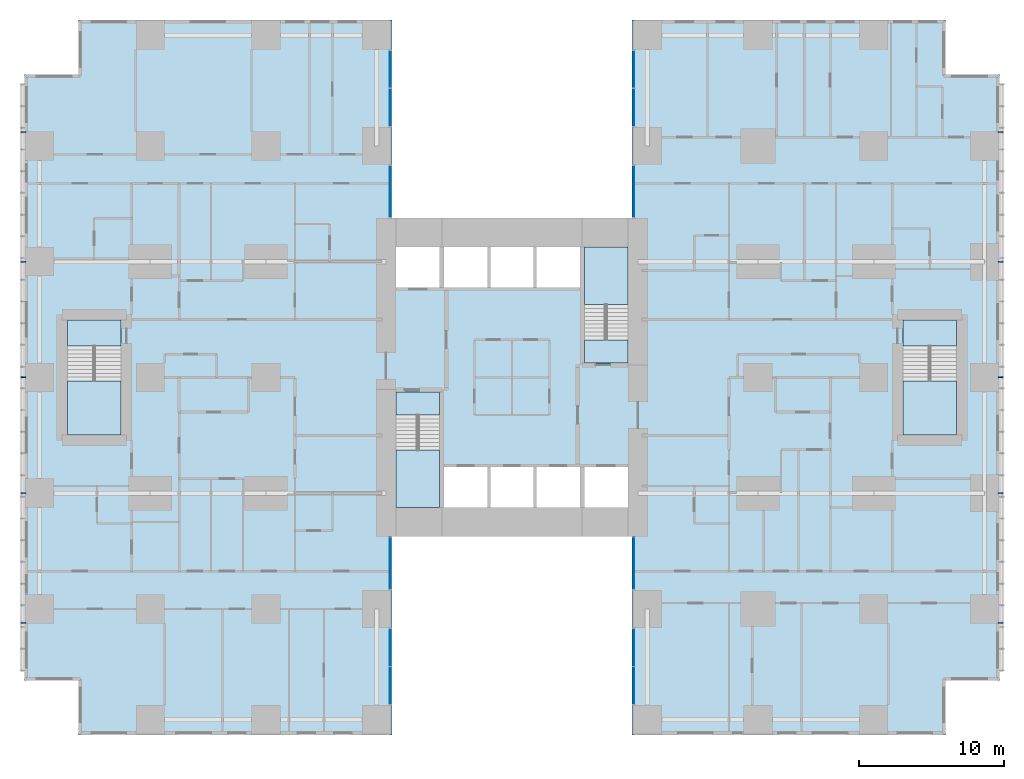
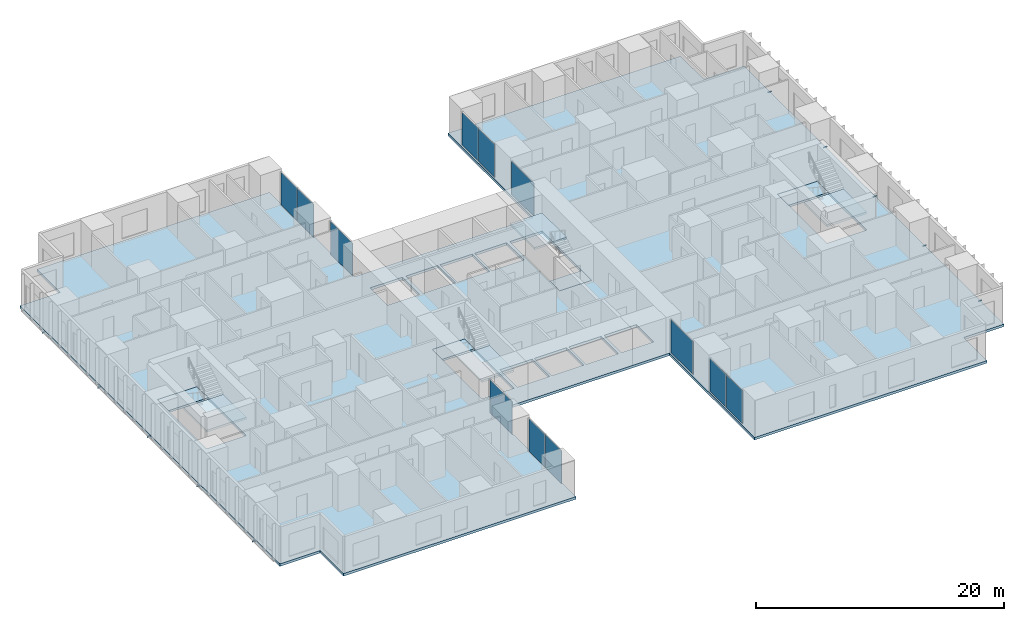
# One storey, part 7 of 20: 12 plates, 10 members, 9 slabs, 12 elements without a shape of their own.
"""IFC4 building model written with IfcOpenShell, lengths in metres."""

from ifc_helpers import new_model, si_unit, direction, frame, origin, origin_2d, place, context, subcontext, project, spatial, polyline, rectangle, hollow_rectangle, outline, extrude, material, layer, layer_set, material_profile, profile_set, type_object, element, aggregate, save


model = new_model("IFC4")

# Units and contexts
model_context = context("Model", 3, precision=1e-05, world=origin(), true_north=direction((0.0, 1.0)))
body_context = subcontext(model_context, "Body", "Model", "MODEL_VIEW")
ifc_project = project(units=[si_unit("LENGTHUNIT", "METRE"), si_unit("AREAUNIT", "SQUARE_METRE"), si_unit("VOLUMEUNIT", "CUBIC_METRE"), si_unit("PLANEANGLEUNIT", "RADIAN"), si_unit("MASSUNIT", "GRAM", prefix="KILO")], contexts=[model_context])

# Site, building, storey
site_placement = place(None, origin())
site = spatial("IfcSite", under=ifc_project, at=site_placement, CompositionType="ELEMENT")
building_placement = place(site_placement, origin())
building = spatial("IfcBuilding", under=site, at=building_placement, Name="Cleftline Residences", CompositionType="ELEMENT")
storey_placement = place(building_placement, frame((0.0, 0.0, 139.39990234375)))
storey = spatial("IfcBuildingStorey", under=building, at=storey_placement, Name="L36", CompositionType="ELEMENT", Elevation=139.39990234375)

# Members
ifc_material_1 = material(Name="Steel S355, hot-dip galvanised", Category="steel")
ifc_material_profile = material_profile(ifc_material_1, hollow_rectangle(XDim=0.10009765625, YDim=0.10009765625, WallThickness=0.008056640625, InnerFilletRadius=0.008056640625, OuterFilletRadius=0.011962890625, at=origin_2d()))
ifc_profile_set = profile_set([ifc_material_profile], Name="Steel S355, hot-dip galvanised")
member_type = type_object("IfcMemberType", Name="BAGUETTE BRACKET SHS 100X100X8", PredefinedType="USERDEFINED", material=ifc_profile_set)
for number, where, z_axis, x_axis, name in (
    (1, (66.60009765625, 7.050048828125, -0.14990234375), (1.0, 0.0, 0.0), (0.0, 1.0, 0.0), "Baguette bracket"),
    (2, (66.60009765625, 16.0, -0.14990234375), (1.0, 0.0, 0.0), (0.0, 1.0, 0.0), "Baguette bracket"),
    (3, (66.60009765625, 24.0, -0.14990234375), (1.0, 0.0, 0.0), (0.0, 1.0, 0.0), "Baguette bracket"),
    (4, (66.60009765625, 32.0, -0.14990234375), (1.0, 0.0, 0.0), (0.0, 1.0, 0.0), "Baguette bracket"),
    (5, (66.60009765625, 40.949951171875, -0.14990234375), (1.0, 0.0, 0.0), (0.0, 1.0, 0.0), "Baguette bracket"),
    (6, (-0.60009765625, 40.949951171875, -0.14990234375), (-1.0, 0.0, 0.0), (0.0, -1.0, 0.0), "Baguette bracket"),
    (7, (-0.60009765625, 32.0, -0.14990234375), (-1.0, 0.0, 0.0), (0.0, -1.0, 0.0), "Baguette bracket"),
    (8, (-0.60009765625, 24.0, -0.14990234375), (-1.0, 0.0, 0.0), (0.0, -1.0, 0.0), "Baguette bracket"),
    (9, (-0.60009765625, 16.0, -0.14990234375), (-1.0, 0.0, 0.0), (0.0, -1.0, 0.0), "Baguette bracket"),
    (10, (-0.60009765625, 7.050048828125, -0.14990234375), (-1.0, 0.0, 0.0), (0.0, -1.0, 0.0), "Baguette bracket"),
):
    element("IfcMember", number, at=place(storey_placement, frame(where, z_axis=z_axis, x_axis=x_axis)), inside=storey, type_object=member_type, Name=name, ObjectType="BAGUETTE BRACKET", PredefinedType="USERDEFINED", context=body_context, shape_type="SweptSolid", body=[
        extrude(hollow_rectangle(XDim=0.10009765625, YDim=0.10009765625, WallThickness=0.008056640625, InnerFilletRadius=0.008056640625, OuterFilletRadius=0.011962890625, at=origin_2d()), origin(), (0.0, 0.0, 1.0), 0.349853515625),
    ])

# Curtain wall, plates
ifc_material_2 = material(Name="Aluminium framed curtain wall", Category="aluminium")
ifc_layer_1 = layer(ifc_material_2, 0.199951171875)
ifc_layer_set_1 = layer_set([ifc_layer_1], Name="CW1 CLEFT GLAZING")
curtain_wall_type = type_object("IfcCurtainWallType", Name="CW1 CLEFT GLAZING", PredefinedType="NOTDEFINED", material=ifc_layer_set_1)
curtain_wall_1_placement = place(storey_placement, origin())
curtain_wall_1 = element("IfcCurtainWall", 11, at=curtain_wall_1_placement, inside=storey, type_object=curtain_wall_type, Name="Curtain wall CW1", PredefinedType="NOTDEFINED")
ifc_material_3 = material(Name="Laminated clear glass", Category="glass")
ifc_layer_2 = layer(ifc_material_3, 0.028076171875)
ifc_layer_set_2 = layer_set([ifc_layer_2], Name="CW1 GLASS PANEL")
plate_type = type_object("IfcPlateType", Name="CW1 GLASS PANEL", PredefinedType="CURTAIN_PANEL", material=ifc_layer_set_2)
plate_1_placement = place(storey_placement, frame((24.574951171875, 2.702392578125, 0.06005859375), z_axis=(0.0, 0.0, 1.0), x_axis=(0.0, 1.0, 0.0)))
plate_1 = element("IfcPlate", 12, at=plate_1_placement, type_object=plate_type, Name="CW1 panel 1.1", PredefinedType="CURTAIN_PANEL", context=body_context, shape_type="SweptSolid", body=[
    extrude(rectangle(XDim=2.5849609375, YDim=0.028076171875, at=origin_2d()), origin(), (0.0, 0.0, 1.0), 3.22998046875),
])
plate_2_placement = place(storey_placement, frame((24.574951171875, 5.347412109375, 0.06005859375), z_axis=(0.0, 0.0, 1.0), x_axis=(0.0, 1.0, 0.0)))
plate_2 = element("IfcPlate", 13, at=plate_2_placement, type_object=plate_type, Name="CW1 panel 2.1", PredefinedType="CURTAIN_PANEL", context=body_context, shape_type="SweptSolid", body=[
    extrude(rectangle(XDim=2.5849609375, YDim=0.028076171875, at=origin_2d()), origin(), (0.0, 0.0, 1.0), 3.22998046875),
])
aggregate(curtain_wall_1, [plate_1, plate_2])

# Curtain wall, plate
curtain_wall_2_placement = place(storey_placement, origin())
curtain_wall_2 = element("IfcCurtainWall", 14, at=curtain_wall_2_placement, inside=storey, type_object=curtain_wall_type, Name="Curtain wall CW1", PredefinedType="NOTDEFINED")
plate_3_placement = place(storey_placement, frame((24.574951171875, 11.14990234375, 0.06005859375), z_axis=(0.0, 0.0, 1.0), x_axis=(0.0, 1.0, 0.0)))
plate_3 = element("IfcPlate", 15, at=plate_3_placement, type_object=plate_type, Name="CW1 panel 1.1", PredefinedType="CURTAIN_PANEL", context=body_context, shape_type="SweptSolid", body=[
    extrude(rectangle(XDim=3.580078125, YDim=0.028076171875, at=origin_2d()), origin(), (0.0, 0.0, 1.0), 3.22998046875),
])
aggregate(curtain_wall_2, [plate_3])

curtain_wall_3_placement = place(storey_placement, origin())
curtain_wall_3 = element("IfcCurtainWall", 16, at=curtain_wall_3_placement, inside=storey, type_object=curtain_wall_type, Name="Curtain wall CW1", PredefinedType="NOTDEFINED")
plate_4_placement = place(storey_placement, frame((41.425048828125, 11.14990234375, 0.06005859375), z_axis=(0.0, 0.0, 1.0), x_axis=(0.0, -1.0, 0.0)))
plate_4 = element("IfcPlate", 17, at=plate_4_placement, type_object=plate_type, Name="CW1 panel 1.1", PredefinedType="CURTAIN_PANEL", context=body_context, shape_type="SweptSolid", body=[
    extrude(rectangle(XDim=3.580078125, YDim=0.028076171875, at=origin_2d()), origin(), (0.0, 0.0, 1.0), 3.22998046875),
])
aggregate(curtain_wall_3, [plate_4])

# Curtain wall, plates
curtain_wall_4_placement = place(storey_placement, origin())
curtain_wall_4 = element("IfcCurtainWall", 18, at=curtain_wall_4_placement, inside=storey, type_object=curtain_wall_type, Name="Curtain wall CW1", PredefinedType="NOTDEFINED")
plate_5_placement = place(storey_placement, frame((41.425048828125, 5.347412109375, 0.06005859375), z_axis=(0.0, 0.0, 1.0), x_axis=(0.0, -1.0, 0.0)))
plate_5 = element("IfcPlate", 19, at=plate_5_placement, type_object=plate_type, Name="CW1 panel 1.1", PredefinedType="CURTAIN_PANEL", context=body_context, shape_type="SweptSolid", body=[
    extrude(rectangle(XDim=2.5849609375, YDim=0.028076171875, at=origin_2d()), origin(), (0.0, 0.0, 1.0), 3.22998046875),
])
plate_6_placement = place(storey_placement, frame((41.425048828125, 2.702392578125, 0.06005859375), z_axis=(0.0, 0.0, 1.0), x_axis=(0.0, -1.0, 0.0)))
plate_6 = element("IfcPlate", 20, at=plate_6_placement, type_object=plate_type, Name="CW1 panel 2.1", PredefinedType="CURTAIN_PANEL", context=body_context, shape_type="SweptSolid", body=[
    extrude(rectangle(XDim=2.5849609375, YDim=0.028076171875, at=origin_2d()), origin(), (0.0, 0.0, 1.0), 3.22998046875),
])
aggregate(curtain_wall_4, [plate_5, plate_6])

curtain_wall_5_placement = place(storey_placement, origin())
curtain_wall_5 = element("IfcCurtainWall", 21, at=curtain_wall_5_placement, inside=storey, type_object=curtain_wall_type, Name="Curtain wall CW1", PredefinedType="NOTDEFINED")
plate_7_placement = place(storey_placement, frame((41.425048828125, 45.297607421875, 0.06005859375), z_axis=(0.0, 0.0, 1.0), x_axis=(0.0, -1.0, 0.0)))
plate_7 = element("IfcPlate", 22, at=plate_7_placement, type_object=plate_type, Name="CW1 panel 1.1", PredefinedType="CURTAIN_PANEL", context=body_context, shape_type="SweptSolid", body=[
    extrude(rectangle(XDim=2.5849609375, YDim=0.028076171875, at=origin_2d()), origin(), (0.0, 0.0, 1.0), 3.22998046875),
])
plate_8_placement = place(storey_placement, frame((41.425048828125, 42.652587890625, 0.06005859375), z_axis=(0.0, 0.0, 1.0), x_axis=(0.0, -1.0, 0.0)))
plate_8 = element("IfcPlate", 23, at=plate_8_placement, type_object=plate_type, Name="CW1 panel 2.1", PredefinedType="CURTAIN_PANEL", context=body_context, shape_type="SweptSolid", body=[
    extrude(rectangle(XDim=2.5849609375, YDim=0.028076171875, at=origin_2d()), origin(), (0.0, 0.0, 1.0), 3.22998046875),
])
aggregate(curtain_wall_5, [plate_7, plate_8])

# Curtain wall, plate
curtain_wall_6_placement = place(storey_placement, origin())
curtain_wall_6 = element("IfcCurtainWall", 24, at=curtain_wall_6_placement, inside=storey, type_object=curtain_wall_type, Name="Curtain wall CW1", PredefinedType="NOTDEFINED")
plate_9_placement = place(storey_placement, frame((41.425048828125, 36.85009765625, 0.06005859375), z_axis=(0.0, 0.0, 1.0), x_axis=(0.0, -1.0, 0.0)))
plate_9 = element("IfcPlate", 25, at=plate_9_placement, type_object=plate_type, Name="CW1 panel 1.1", PredefinedType="CURTAIN_PANEL", context=body_context, shape_type="SweptSolid", body=[
    extrude(rectangle(XDim=3.580078125, YDim=0.028076171875, at=origin_2d()), origin(), (0.0, 0.0, 1.0), 3.22998046875),
])
aggregate(curtain_wall_6, [plate_9])

curtain_wall_7_placement = place(storey_placement, origin())
curtain_wall_7 = element("IfcCurtainWall", 26, at=curtain_wall_7_placement, inside=storey, type_object=curtain_wall_type, Name="Curtain wall CW1", PredefinedType="NOTDEFINED")
plate_10_placement = place(storey_placement, frame((24.574951171875, 36.85009765625, 0.06005859375), z_axis=(0.0, 0.0, 1.0), x_axis=(0.0, 1.0, 0.0)))
plate_10 = element("IfcPlate", 27, at=plate_10_placement, type_object=plate_type, Name="CW1 panel 1.1", PredefinedType="CURTAIN_PANEL", context=body_context, shape_type="SweptSolid", body=[
    extrude(rectangle(XDim=3.580078125, YDim=0.028076171875, at=origin_2d()), origin(), (0.0, 0.0, 1.0), 3.22998046875),
])
aggregate(curtain_wall_7, [plate_10])

# Curtain wall, plates
curtain_wall_8_placement = place(storey_placement, origin())
curtain_wall_8 = element("IfcCurtainWall", 28, at=curtain_wall_8_placement, inside=storey, type_object=curtain_wall_type, Name="Curtain wall CW1", PredefinedType="NOTDEFINED")
plate_11_placement = place(storey_placement, frame((24.574951171875, 42.652587890625, 0.06005859375), z_axis=(0.0, 0.0, 1.0), x_axis=(0.0, 1.0, 0.0)))
plate_11 = element("IfcPlate", 29, at=plate_11_placement, type_object=plate_type, Name="CW1 panel 1.1", PredefinedType="CURTAIN_PANEL", context=body_context, shape_type="SweptSolid", body=[
    extrude(rectangle(XDim=2.5849609375, YDim=0.028076171875, at=origin_2d()), origin(), (0.0, 0.0, 1.0), 3.22998046875),
])
plate_12_placement = place(storey_placement, frame((24.574951171875, 45.297607421875, 0.06005859375), z_axis=(0.0, 0.0, 1.0), x_axis=(0.0, 1.0, 0.0)))
plate_12 = element("IfcPlate", 30, at=plate_12_placement, type_object=plate_type, Name="CW1 panel 2.1", PredefinedType="CURTAIN_PANEL", context=body_context, shape_type="SweptSolid", body=[
    extrude(rectangle(XDim=2.5849609375, YDim=0.028076171875, at=origin_2d()), origin(), (0.0, 0.0, 1.0), 3.22998046875),
])
aggregate(curtain_wall_8, [plate_11, plate_12])

# Slab
ifc_material_4 = material(Name="Concrete B45", Category="concrete")
ifc_layer_3 = layer(ifc_material_4, 0.25)
ifc_layer_set_3 = layer_set([ifc_layer_3], Name="FLOOR SLAB 250")
slab_type_1 = type_object("IfcSlabType", Name="FLOOR SLAB 250", PredefinedType="FLOOR", material=ifc_layer_set_3)
slab_1_placement = place(storey_placement, frame((0.0, 0.0, -0.25)))
element("IfcSlab", 31, at=slab_1_placement, inside=storey, type_object=slab_type_1, Name="Floor slab L36", PredefinedType="FLOOR", context=body_context, shape_type="SweptSolid", body=[
    extrude(outline(polyline([(24.699951171875, 13.0), (41.300048828125, 13.0), (41.300048828125, -0.699951171875), (62.949951171875, -0.699951171875), (62.949951171875, 3.050048828125), (66.699951171875, 3.050048828125), (66.699951171875, 44.949951171875), (62.949951171875, 44.949951171875), (62.949951171875, 48.699951171875), (41.300048828125, 48.699951171875), (41.300048828125, 35.0), (24.699951171875, 35.0), (24.699951171875, 48.699951171875), (3.050048828125, 48.699951171875), (3.050048828125, 44.949951171875), (-0.699951171875, 44.949951171875), (-0.699951171875, 3.050048828125), (3.050048828125, 3.050048828125), (3.050048828125, -0.699951171875), (24.699951171875, -0.699951171875), (24.699951171875, 13.0)]), holes=[polyline([(28.0, 15.0), (28.0, 23.0), (25.0, 23.0), (25.0, 15.0), (28.0, 15.0)]), polyline([(41.0, 25.0), (41.0, 33.0), (38.0, 33.0), (38.0, 25.0), (41.0, 25.0)]), polyline([(28.0, 30.199951171875), (28.0, 33.0), (25.0, 33.0), (25.0, 30.199951171875), (28.0, 30.199951171875)]), polyline([(41.0, 15.0), (41.0, 17.800048828125), (38.0, 17.800048828125), (38.0, 15.0), (41.0, 15.0)]), polyline([(31.300048828125, 15.0), (31.300048828125, 17.800048828125), (28.300048828125, 17.800048828125), (28.300048828125, 15.0), (31.300048828125, 15.0)]), polyline([(34.5, 15.0), (34.5, 17.800048828125), (31.5, 17.800048828125), (31.5, 15.0), (34.5, 15.0)]), polyline([(37.699951171875, 15.0), (37.699951171875, 17.800048828125), (34.699951171875, 17.800048828125), (34.699951171875, 15.0), (37.699951171875, 15.0)]), polyline([(31.300048828125, 30.199951171875), (31.300048828125, 33.0), (28.300048828125, 33.0), (28.300048828125, 30.199951171875), (31.300048828125, 30.199951171875)]), polyline([(34.5, 30.199951171875), (34.5, 33.0), (31.5, 33.0), (31.5, 30.199951171875), (34.5, 30.199951171875)]), polyline([(37.699951171875, 30.199951171875), (37.699951171875, 33.0), (34.699951171875, 33.0), (34.699951171875, 30.199951171875), (37.699951171875, 30.199951171875)]), polyline([(63.72509765625, 20.02490234375), (63.72509765625, 27.97509765625), (60.02490234375, 27.97509765625), (60.02490234375, 20.02490234375), (63.72509765625, 20.02490234375)]), polyline([(5.97509765625, 20.02490234375), (5.97509765625, 27.97509765625), (2.27490234375, 27.97509765625), (2.27490234375, 20.02490234375), (5.97509765625, 20.02490234375)])]), origin(), (0.0, 0.0, 1.0), 0.25),
])

# Stair, slabs
ifc_material_5 = material(Name="Concrete B45, stone treads", Category="masonry")
stair_type_1 = type_object("IfcStairType", Name="STAIR A 1450 WIDE 180 RISER", PredefinedType="HALF_TURN_STAIR", material=ifc_material_5)
stair_1_placement = place(storey_placement, origin())
stair_1 = element("IfcStair", 32, at=stair_1_placement, inside=storey, type_object=stair_type_1, Name="Stair A L36", PredefinedType="HALF_TURN_STAIR")
ifc_material_6 = material(Name="Concrete B45", Category="concrete")
ifc_layer_4 = layer(ifc_material_6, 0.199951171875)
ifc_layer_set_4 = layer_set([ifc_layer_4], Name="STAIR LANDING 200")
slab_type_2 = type_object("IfcSlabType", Name="STAIR LANDING 200", PredefinedType="LANDING", material=ifc_layer_set_4)
slab_2_placement = place(storey_placement, frame((0.0, 0.0, -0.199951171875)))
slab_2 = element("IfcSlab", 33, at=slab_2_placement, type_object=slab_type_2, Name="ST-A landing 1", PredefinedType="LANDING", context=body_context, shape_type="SweptSolid", body=[
    extrude(outline(polyline([(25.0, 21.39990234375), (28.0, 21.39990234375), (28.0, 23.0), (25.0, 23.0), (25.0, 21.39990234375)])), origin(), (0.0, 0.0, 1.0), 0.199951171875),
])
slab_3_placement = place(storey_placement, frame((0.0, 0.0, 1.60009765625)))
slab_3 = element("IfcSlab", 34, at=slab_3_placement, type_object=slab_type_2, Name="ST-A landing 2", PredefinedType="LANDING", context=body_context, shape_type="SweptSolid", body=[
    extrude(outline(polyline([(25.0, 15.0), (28.0, 15.0), (28.0, 18.969970703125), (25.0, 18.969970703125), (25.0, 15.0)])), origin(), (0.0, 0.0, 1.0), 0.199951171875),
])
aggregate(stair_1, [slab_2, slab_3])

ifc_material_7 = material(Name="Concrete B45, stone treads", Category="masonry")
stair_type_2 = type_object("IfcStairType", Name="STAIR B 1450 WIDE 180 RISER", PredefinedType="HALF_TURN_STAIR", material=ifc_material_7)
stair_2_placement = place(storey_placement, origin())
stair_2 = element("IfcStair", 35, at=stair_2_placement, inside=storey, type_object=stair_type_2, Name="Stair B L36", PredefinedType="HALF_TURN_STAIR")
slab_4_placement = place(storey_placement, frame((0.0, 0.0, -0.199951171875)))
slab_4 = element("IfcSlab", 36, at=slab_4_placement, type_object=slab_type_2, Name="ST-B landing 1", PredefinedType="LANDING", context=body_context, shape_type="SweptSolid", body=[
    extrude(outline(polyline([(38.0, 25.0), (41.0, 25.0), (41.0, 26.60009765625), (38.0, 26.60009765625), (38.0, 25.0)])), origin(), (0.0, 0.0, 1.0), 0.199951171875),
])
slab_5_placement = place(storey_placement, frame((0.0, 0.0, 1.60009765625)))
slab_5 = element("IfcSlab", 37, at=slab_5_placement, type_object=slab_type_2, Name="ST-B landing 2", PredefinedType="LANDING", context=body_context, shape_type="SweptSolid", body=[
    extrude(outline(polyline([(38.0, 29.030029296875), (41.0, 29.030029296875), (41.0, 33.0), (38.0, 33.0), (38.0, 29.030029296875)])), origin(), (0.0, 0.0, 1.0), 0.199951171875),
])
aggregate(stair_2, [slab_4, slab_5])

ifc_material_8 = material(Name="Concrete B45, stone treads", Category="masonry")
stair_type_3 = type_object("IfcStairType", Name="STAIR E 1800 WIDE 180 RISER", PredefinedType="HALF_TURN_STAIR", material=ifc_material_8)
stair_3_placement = place(storey_placement, origin())
stair_3 = element("IfcStair", 38, at=stair_3_placement, inside=storey, type_object=stair_type_3, Name="Stair E L36", PredefinedType="HALF_TURN_STAIR")
slab_6_placement = place(storey_placement, frame((0.0, 0.0, -0.199951171875)))
slab_6 = element("IfcSlab", 39, at=slab_6_placement, type_object=slab_type_2, Name="ST-E landing 1", PredefinedType="LANDING", context=body_context, shape_type="SweptSolid", body=[
    extrude(outline(polyline([(60.02490234375, 26.175048828125), (63.72509765625, 26.175048828125), (63.72509765625, 27.97509765625), (60.02490234375, 27.97509765625), (60.02490234375, 26.175048828125)])), origin(), (0.0, 0.0, 1.0), 0.199951171875),
])
slab_7_placement = place(storey_placement, frame((0.0, 0.0, 1.60009765625)))
slab_7 = element("IfcSlab", 40, at=slab_7_placement, type_object=slab_type_2, Name="ST-E landing 2", PredefinedType="LANDING", context=body_context, shape_type="SweptSolid", body=[
    extrude(outline(polyline([(60.02490234375, 20.02490234375), (63.72509765625, 20.02490234375), (63.72509765625, 23.7451171875), (60.02490234375, 23.7451171875), (60.02490234375, 20.02490234375)])), origin(), (0.0, 0.0, 1.0), 0.199951171875),
])
aggregate(stair_3, [slab_6, slab_7])

ifc_material_9 = material(Name="Concrete B45, stone treads", Category="masonry")
stair_type_4 = type_object("IfcStairType", Name="STAIR W 1800 WIDE 180 RISER", PredefinedType="HALF_TURN_STAIR", material=ifc_material_9)
stair_4_placement = place(storey_placement, origin())
stair_4 = element("IfcStair", 41, at=stair_4_placement, inside=storey, type_object=stair_type_4, Name="Stair W L36", PredefinedType="HALF_TURN_STAIR")
slab_8_placement = place(storey_placement, frame((0.0, 0.0, -0.199951171875)))
slab_8 = element("IfcSlab", 42, at=slab_8_placement, type_object=slab_type_2, Name="ST-W landing 1", PredefinedType="LANDING", context=body_context, shape_type="SweptSolid", body=[
    extrude(outline(polyline([(2.27490234375, 26.175048828125), (5.97509765625, 26.175048828125), (5.97509765625, 27.97509765625), (2.27490234375, 27.97509765625), (2.27490234375, 26.175048828125)])), origin(), (0.0, 0.0, 1.0), 0.199951171875),
])
slab_9_placement = place(storey_placement, frame((0.0, 0.0, 1.60009765625)))
slab_9 = element("IfcSlab", 43, at=slab_9_placement, type_object=slab_type_2, Name="ST-W landing 2", PredefinedType="LANDING", context=body_context, shape_type="SweptSolid", body=[
    extrude(outline(polyline([(2.27490234375, 20.02490234375), (5.97509765625, 20.02490234375), (5.97509765625, 23.7451171875), (2.27490234375, 23.7451171875), (2.27490234375, 20.02490234375)])), origin(), (0.0, 0.0, 1.0), 0.199951171875),
])
aggregate(stair_4, [slab_8, slab_9])

save(model, "model.ifc")
